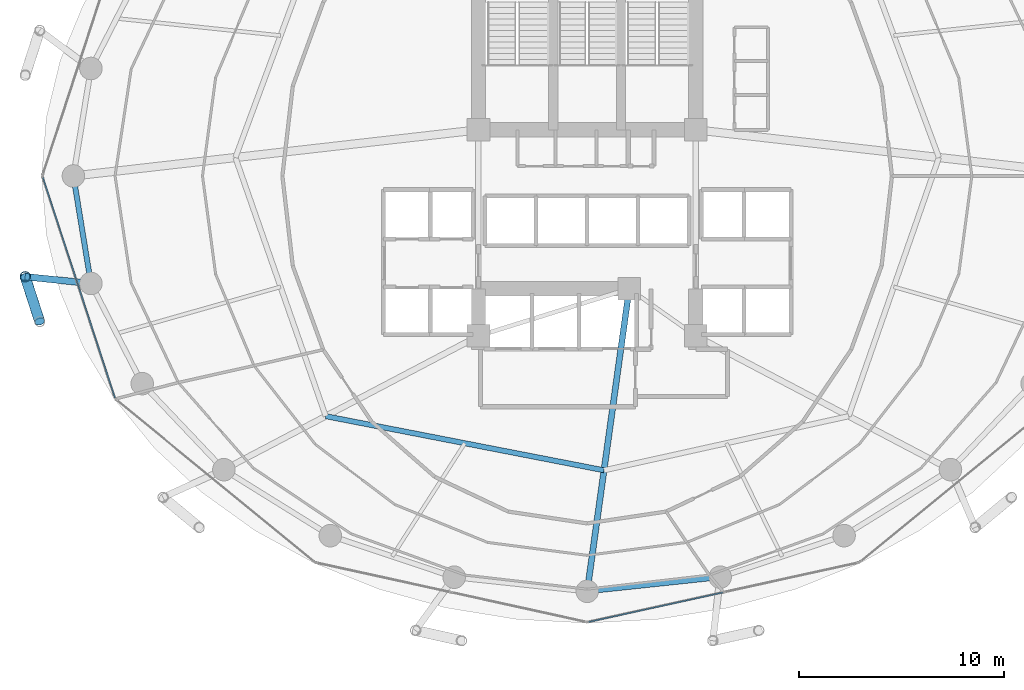
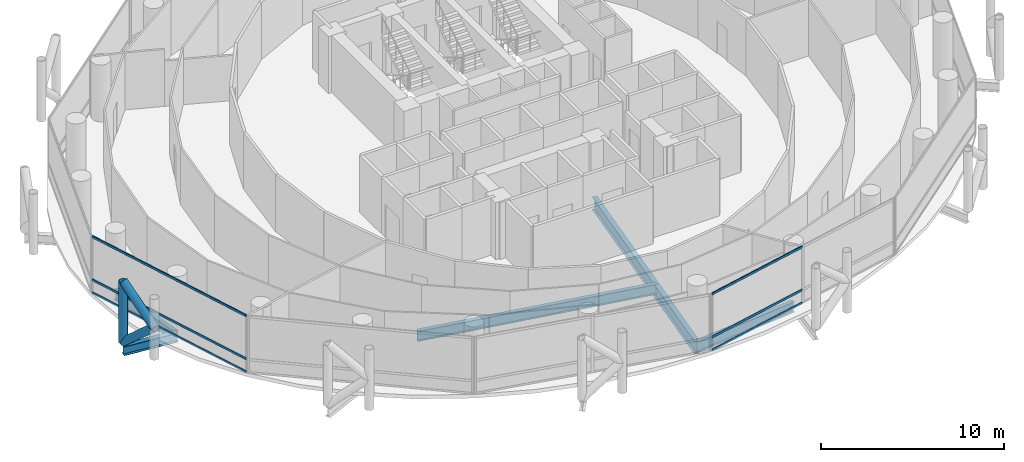
# One storey, part 5 of 26: 9 members, 5 beams, 2 elements without a shape of their own.
"""IFC4 building model written with IfcOpenShell, lengths in metres."""

from ifc_helpers import new_model, si_unit, direction, frame, origin, origin_2d, place, context, subcontext, project, spatial, hollow_rectangle, hollow_circle, i_section, extrude, material, layer, layer_set, material_profile, profile_set, type_object, element, aggregate, save


model = new_model("IFC4")

# Units and contexts
model_context = context("Model", 3, precision=1e-05, world=origin(), true_north=direction((0.0, 1.0)))
body_context = subcontext(model_context, "Body", "Model", "MODEL_VIEW")
ifc_project = project(units=[si_unit("LENGTHUNIT", "METRE"), si_unit("AREAUNIT", "SQUARE_METRE"), si_unit("VOLUMEUNIT", "CUBIC_METRE"), si_unit("PLANEANGLEUNIT", "RADIAN"), si_unit("MASSUNIT", "GRAM", prefix="KILO")], contexts=[model_context])

# Site, building, storey
site_placement = place(None, origin())
site = spatial("IfcSite", under=ifc_project, at=site_placement, CompositionType="ELEMENT")
building_placement = place(site_placement, origin())
building = spatial("IfcBuilding", under=site, at=building_placement, Name="Nuhasar Tower", CompositionType="ELEMENT")
storey_placement = place(building_placement, frame((0.0, 0.0, 97.949951171875)))
storey = spatial("IfcBuildingStorey", under=building, at=storey_placement, Name="L23", CompositionType="ELEMENT", Elevation=97.949951171875)

# Beams
ifc_material_1 = material(Name="Steel S355", Category="steel")
ifc_material_profile_1 = material_profile(ifc_material_1, i_section(OverallWidth=0.25390625, OverallDepth=0.68408203125, WebThickness=0.012451171875, FlangeThickness=0.018798828125, at=origin_2d()), Name="W27X94")
ifc_profile_set_1 = profile_set([ifc_material_profile_1], Name="Steel S355")
beam_type_1 = type_object("IfcBeamType", Name="BM-INRING-W27X94", PredefinedType="BEAM", material=ifc_profile_set_1)
beam_1_placement = place(storey_placement, frame((26.251953125, 15.089111328125, -0.592041015625), z_axis=(0.981602977761, -0.190933480695, 0.0), x_axis=(0.190933480695, 0.981602977761, 0.0)))
element("IfcBeam", 1, at=beam_1_placement, inside=storey, type_object=beam_type_1, Name="L23 Inner Header Beam 01", PredefinedType="BEAM", context=body_context, shape_type="SweptSolid", body=[
    extrude(i_section(OverallWidth=0.25390625, OverallDepth=0.68408203125, WebThickness=0.012451171875, FlangeThickness=0.018798828125, at=origin_2d()), origin(), (0.0, 0.0, 1.0), 13.822509765625),
])
ifc_material_profile_2 = material_profile(ifc_material_1, i_section(OverallWidth=0.2919921875, OverallDepth=0.85888671875, WebThickness=0.01708984375, FlangeThickness=0.031005859375, at=origin_2d()), Name="W33X169")
ifc_profile_set_2 = profile_set([ifc_material_profile_2], Name="Steel S355")
beam_type_2 = type_object("IfcBeamType", Name="BM-POD-W33X169", PredefinedType="BEAM", material=ifc_profile_set_2)
beam_2_placement = place(storey_placement, frame((41.050048828125, 21.300048828125, -0.679931640625), z_axis=(-0.137663087856, -0.990479113481, 0.0), x_axis=(0.990479113481, -0.137663087856, 0.0)))
element("IfcBeam", 2, at=beam_2_placement, inside=storey, type_object=beam_type_2, Name="L23 Radial Floor Girder 02", PredefinedType="BEAM", context=body_context, shape_type="SweptSolid", body=[
    extrude(i_section(OverallWidth=0.2919921875, OverallDepth=0.85888671875, WebThickness=0.01708984375, FlangeThickness=0.031005859375, at=origin_2d()), origin(), (0.0, 0.0, 1.0), 14.891845703125),
])
ifc_material_profile_3 = material_profile(ifc_material_1, i_section(OverallWidth=0.256103515625, OverallDepth=0.693115234375, WebThickness=0.014404296875, FlangeThickness=0.023681640625, at=origin_2d()), Name="W27X114")
ifc_profile_set_3 = profile_set([ifc_material_profile_3], Name="Steel S355")
beam_type_3 = type_object("IfcBeamType", Name="BM-RING-W27X114", PredefinedType="SPANDREL", material=ifc_profile_set_3)
beam_3_placement = place(storey_placement, frame((13.949951171875, 26.800048828125, -0.596923828125), z_axis=(0.160826635486, -0.986982671235, 0.0), x_axis=(0.986982671235, 0.160826635486, 0.0)))
element("IfcBeam", 3, at=beam_3_placement, inside=storey, type_object=beam_type_3, Name="L23 Perimeter Ring Spandrel 13", PredefinedType="SPANDREL", context=body_context, shape_type="SweptSolid", body=[
    extrude(i_section(OverallWidth=0.256103515625, OverallDepth=0.693115234375, WebThickness=0.014404296875, FlangeThickness=0.023681640625, at=origin_2d()), origin(), (0.0, 0.0, 1.0), 5.31005859375),
])
beam_4_placement = place(storey_placement, frame((39.0, 6.550048828125, -0.596923828125), z_axis=(0.994384554061, 0.105827022286, 0.0), x_axis=(-0.105827022286, 0.994384554061, 0.0)))
element("IfcBeam", 4, at=beam_4_placement, inside=storey, type_object=beam_type_3, Name="L23 Perimeter Ring Spandrel 19", PredefinedType="SPANDREL", context=body_context, shape_type="SweptSolid", body=[
    extrude(i_section(OverallWidth=0.256103515625, OverallDepth=0.693115234375, WebThickness=0.014404296875, FlangeThickness=0.023681640625, at=origin_2d()), origin(), (0.0, 0.0, 1.0), 6.51953125),
])
ifc_material_profile_4 = material_profile(ifc_material_1, i_section(OverallWidth=0.323974609375, OverallDepth=0.611083984375, WebThickness=0.0126953125, FlangeThickness=0.01904296875, at=origin_2d()), Name="W24X104")
ifc_profile_set_4 = profile_set([ifc_material_profile_4], Name="Steel S355")
beam_type_4 = type_object("IfcBeamType", Name="BM-TIE-W24X104", PredefinedType="BEAM", material=ifc_profile_set_4)
beam_5_placement = place(storey_placement, frame((14.803955078125, 21.55908203125, -0.554931640625), z_axis=(-0.994711572359, 0.102707778751, 0.0), x_axis=(-0.102707778751, -0.994711572359, 0.0)))
element("IfcBeam", 5, at=beam_5_placement, inside=storey, type_object=beam_type_4, Name="L23 Exoskeleton Node Tie Beam 07", PredefinedType="BEAM", context=body_context, shape_type="SweptSolid", body=[
    extrude(i_section(OverallWidth=0.323974609375, OverallDepth=0.611083984375, WebThickness=0.0126953125, FlangeThickness=0.01904296875, at=origin_2d()), origin(), (0.0, 0.0, 1.0), 3.220947265625),
])

# Curtain wall, members
ifc_material_2 = material(Name="Aluminium 6063-T6", Category="aluminium")
ifc_layer = layer(ifc_material_2, 0.199951171875)
ifc_layer_set = layer_set([ifc_layer], Name="Aluminium 6063-T6")
curtain_wall_type = type_object("IfcCurtainWallType", Name="CW-Z1-OFF", PredefinedType="NOTDEFINED", material=ifc_layer_set)
curtain_wall_1_placement = place(storey_placement, origin())
curtain_wall_1 = element("IfcCurtainWall", 6, at=curtain_wall_1_placement, inside=storey, type_object=curtain_wall_type, Name="L23 Unitised Curtain Wall 07", PredefinedType="NOTDEFINED")
ifc_material_profile_5 = material_profile(ifc_material_2, hollow_rectangle(XDim=0.06494140625, YDim=0.14990234375, WallThickness=0.00439453125, at=origin_2d()), Name="CWT-2")
ifc_profile_set_5 = profile_set([ifc_material_profile_5], Name="Aluminium 6063-T6")
member_type_1 = type_object("IfcMemberType", Name="CW-TRN-S2", PredefinedType="USERDEFINED", material=ifc_profile_set_5)
member_1_placement = place(storey_placement, frame((12.460205078125, 26.73828125, 0.032470703125), z_axis=(0.310818687697, -0.950469222741, 0.0), x_axis=(0.950469222741, 0.310818687697, 0.0)))
member_1 = element("IfcMember", 7, at=member_1_placement, type_object=member_type_1, Name="CW-Z1 transom 1.1", ObjectType="TRANSOM", PredefinedType="USERDEFINED", context=body_context, shape_type="SweptSolid", body=[
    extrude(hollow_rectangle(XDim=0.06494140625, YDim=0.14990234375, WallThickness=0.00439453125, at=origin_2d()), origin(), (0.0, 0.0, 1.0), 11.317138671875),
])
member_2_placement = place(storey_placement, frame((12.460205078125, 26.73828125, 0.900146484375), z_axis=(0.310818687697, -0.950469222741, 0.0), x_axis=(0.950469222741, 0.310818687697, 0.0)))
member_2 = element("IfcMember", 8, at=member_2_placement, type_object=member_type_1, Name="CW-Z1 transom 1.2", ObjectType="TRANSOM", PredefinedType="USERDEFINED", context=body_context, shape_type="SweptSolid", body=[
    extrude(hollow_rectangle(XDim=0.06494140625, YDim=0.14990234375, WallThickness=0.00439453125, at=origin_2d()), origin(), (0.0, 0.0, 1.0), 11.317138671875),
])
member_3_placement = place(storey_placement, frame((12.460205078125, 26.73828125, 3.767578125), z_axis=(0.310818687697, -0.950469222741, 0.0), x_axis=(0.950469222741, 0.310818687697, 0.0)))
member_3 = element("IfcMember", 9, at=member_3_placement, type_object=member_type_1, Name="CW-Z1 transom 1.3", ObjectType="TRANSOM", PredefinedType="USERDEFINED", context=body_context, shape_type="SweptSolid", body=[
    extrude(hollow_rectangle(XDim=0.06494140625, YDim=0.14990234375, WallThickness=0.00439453125, at=origin_2d()), origin(), (0.0, 0.0, 1.0), 11.317138671875),
])
aggregate(curtain_wall_1, [member_1, member_2, member_3])

curtain_wall_2_placement = place(storey_placement, origin())
curtain_wall_2 = element("IfcCurtainWall", 10, at=curtain_wall_2_placement, inside=storey, type_object=curtain_wall_type, Name="L23 Unitised Curtain Wall 10", PredefinedType="NOTDEFINED")
member_4_placement = place(storey_placement, frame((39.0634765625, 5.053955078125, 0.032470703125), z_axis=(0.976747879138, 0.214391185916, 0.0), x_axis=(-0.214391185916, 0.976747879138, 0.0)))
member_4 = element("IfcMember", 11, at=member_4_placement, type_object=member_type_1, Name="CW-Z1 transom 1.1", ObjectType="TRANSOM", PredefinedType="USERDEFINED", context=body_context, shape_type="SweptSolid", body=[
    extrude(hollow_rectangle(XDim=0.06494140625, YDim=0.14990234375, WallThickness=0.00439453125, at=origin_2d()), origin(), (0.0, 0.0, 1.0), 6.700439453125),
])
member_5_placement = place(storey_placement, frame((39.0634765625, 5.053955078125, 0.900146484375), z_axis=(0.976747879138, 0.214391185916, 0.0), x_axis=(-0.214391185916, 0.976747879138, 0.0)))
member_5 = element("IfcMember", 12, at=member_5_placement, type_object=member_type_1, Name="CW-Z1 transom 1.2", ObjectType="TRANSOM", PredefinedType="USERDEFINED", context=body_context, shape_type="SweptSolid", body=[
    extrude(hollow_rectangle(XDim=0.06494140625, YDim=0.14990234375, WallThickness=0.00439453125, at=origin_2d()), origin(), (0.0, 0.0, 1.0), 6.700439453125),
])
member_6_placement = place(storey_placement, frame((39.0634765625, 5.053955078125, 3.767578125), z_axis=(0.976747879138, 0.214391185916, 0.0), x_axis=(-0.214391185916, 0.976747879138, 0.0)))
member_6 = element("IfcMember", 13, at=member_6_placement, type_object=member_type_1, Name="CW-Z1 transom 1.3", ObjectType="TRANSOM", PredefinedType="USERDEFINED", context=body_context, shape_type="SweptSolid", body=[
    extrude(hollow_rectangle(XDim=0.06494140625, YDim=0.14990234375, WallThickness=0.00439453125, at=origin_2d()), origin(), (0.0, 0.0, 1.0), 6.700439453125),
])
aggregate(curtain_wall_2, [member_4, member_5, member_6])

# Members
ifc_material_3 = material(Name="Steel S460", Category="steel")
ifc_material_profile_6 = material_profile(ifc_material_3, hollow_circle(Radius=0.25390625, WallThickness=0.025390625, at=origin_2d()), Name="HSS508X25.4")
ifc_profile_set_6 = profile_set([ifc_material_profile_6], Name="Steel S460")
member_type_2 = type_object("IfcMemberType", Name="EXO-BRONZE-508", PredefinedType="BRACE", material=ifc_profile_set_6)
member_7_placement = place(storey_placement, frame((11.60009765625, 21.889892578125, 0.0), z_axis=(0.0, 0.0, 1.0), x_axis=(1.0, 0.0, 0.0)))
element("IfcMember", 14, at=member_7_placement, inside=storey, type_object=member_type_2, Name="L23 Exoskeleton Chord Column EC-07A", PredefinedType="BRACE", context=body_context, shape_type="SweptSolid", body=[
    extrude(hollow_circle(Radius=0.25390625, WallThickness=0.025390625, at=origin_2d()), origin(), (0.0, 0.0, 1.0), 4.050048828125),
])
member_8_placement = place(storey_placement, frame((11.60009765625, 21.889892578125, 0.0), z_axis=(0.230999678299, -0.714187281251, 0.660738734997), x_axis=(0.951468282519, 0.307746823478, 0.0)))
element("IfcMember", 15, at=member_8_placement, inside=storey, type_object=member_type_2, Name="L23 Bronze Diagrid Brace W1-07", PredefinedType="BRACE", context=body_context, shape_type="SweptSolid", body=[
    extrude(hollow_circle(Radius=0.25390625, WallThickness=0.025390625, at=origin_2d()), origin(), (0.0, 0.0, 1.0), 3.06494140625),
])
member_9_placement = place(storey_placement, frame((12.30810546875, 19.700927734375, 2.025146484375), z_axis=(-0.231011836313, 0.714224870475, 0.660693851854), x_axis=(-0.951468282519, -0.307746823478, 0.0)))
element("IfcMember", 16, at=member_9_placement, inside=storey, type_object=member_type_2, Name="L23 Bronze Diagrid Brace W2-07", PredefinedType="BRACE", context=body_context, shape_type="SweptSolid", body=[
    extrude(hollow_circle(Radius=0.25390625, WallThickness=0.025390625, at=origin_2d()), origin(), (0.0, 0.0, 1.0), 3.064697265625),
])

save(model, "model.ifc")
